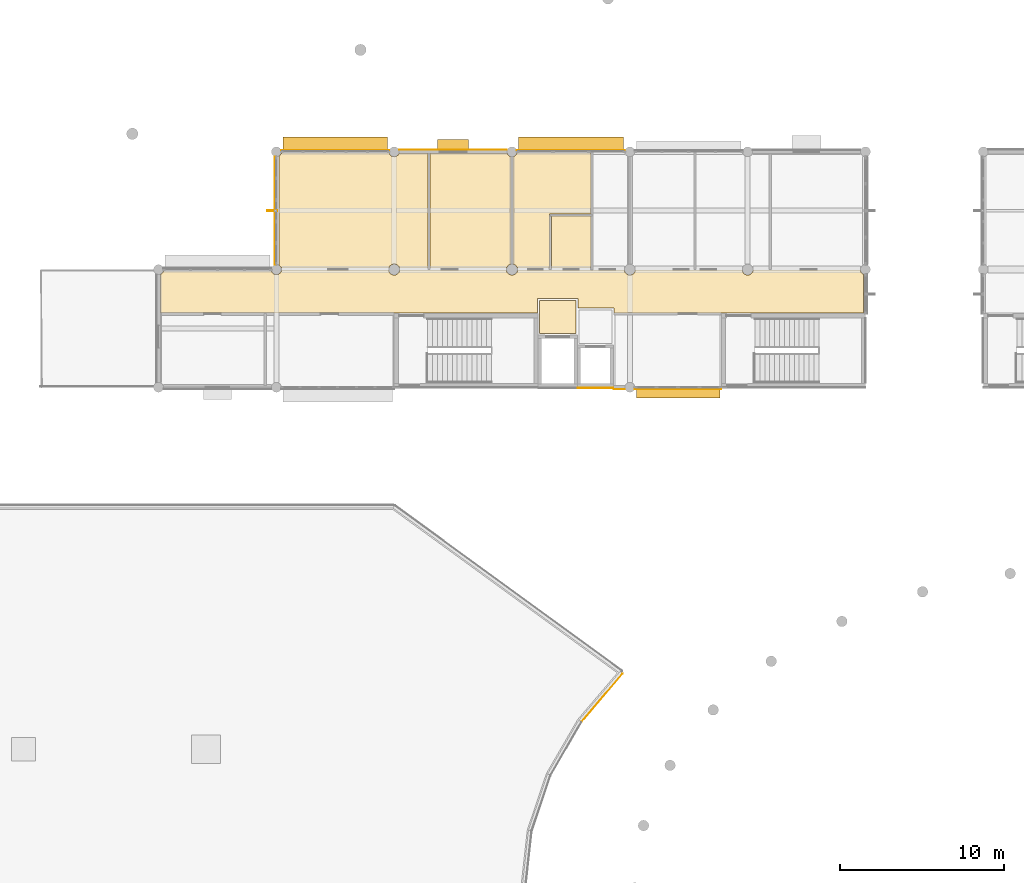
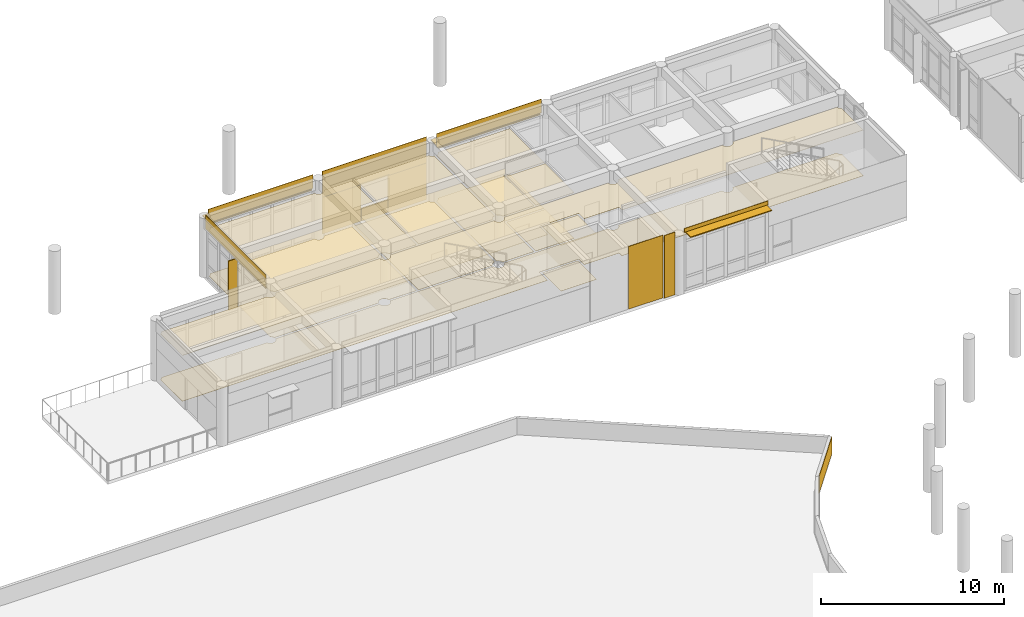
# One storey, part 48 of 55: 23 coverings, 5 shading devices.
"""IFC4 building model written with IfcOpenShell, lengths in metres."""

from ifc_helpers import new_model, si_unit, direction, frame, origin, origin_2d, place, context, subcontext, project, spatial, polyline, rectangle, outline, extrude, material, layer, layer_set, type_object, element, save


model = new_model("IFC4")

# Units and contexts
model_context = context("Model", 3, precision=1e-05, world=origin(), true_north=direction((0.0, 1.0)))
body_context = subcontext(model_context, "Body", "Model", "MODEL_VIEW")
ifc_project = project(units=[si_unit("LENGTHUNIT", "METRE"), si_unit("AREAUNIT", "SQUARE_METRE"), si_unit("VOLUMEUNIT", "CUBIC_METRE"), si_unit("PLANEANGLEUNIT", "RADIAN"), si_unit("MASSUNIT", "GRAM", prefix="KILO")], contexts=[model_context])

# Site, building, storey
site_placement = place(None, origin())
site = spatial("IfcSite", under=ifc_project, at=site_placement, CompositionType="ELEMENT")
building_placement = place(site_placement, origin())
building = spatial("IfcBuilding", under=site, at=building_placement, Name="Namkhue Oval Health Centre", CompositionType="ELEMENT")
storey_placement = place(building_placement, frame((0.0, 0.0, 9.60009765625)))
storey = spatial("IfcBuildingStorey", under=building, at=storey_placement, Name="L02", CompositionType="ELEMENT", Elevation=9.60009765625)

# Coverings
ifc_material_1 = material(Name="Acoustic mineral-fibre cleanroom ceiling", Category="gypsum")
ifc_layer_1 = layer(ifc_material_1, 0.02001953125)
ifc_layer_set_1 = layer_set([ifc_layer_1], Name="Acoustic mineral-fibre cleanroom ceiling")
covering_type_1 = type_object("IfcCoveringType", Name="ACOUSTIC CLEANROOM CEILING 20", PredefinedType="CEILING", material=ifc_layer_set_1)
covering_1_placement = place(storey_placement, frame((0.0, 0.0, 3.0498046875)))
element("IfcCovering", 1, at=covering_1_placement, inside=storey, type_object=covering_type_1, Name="Acoustic Ceiling L02-LL1 Lift Lobby LF-01", PredefinedType="CEILING", context=body_context, shape_type="SweptSolid", body=[
    extrude(outline(polyline([(66.47998046875, 93.280029296875), (66.47998046875, 95.320068359375), (68.719970703125, 95.320068359375), (68.719970703125, 93.280029296875), (66.47998046875, 93.280029296875)])), origin(), (0.0, 0.0, 1.0), 0.02001953125),
])
covering_2_placement = place(storey_placement, frame((0.0, 0.0, 3.0498046875)))
element("IfcCovering", 2, at=covering_2_placement, inside=storey, type_object=covering_type_1, Name="Acoustic Ceiling L02-V2-C1 V2 Clinical Corridor", PredefinedType="CEILING", context=body_context, shape_type="SweptSolid", body=[
    extrude(outline(polyline([(57.270263671875, 97.159912109375), (57.2763671875, 97.11328125), (57.309814453125, 97.032470703125), (57.363037109375, 96.963134765625), (57.4326171875, 96.909912109375), (57.51318359375, 96.87646484375), (57.60009765625, 96.864990234375), (57.686767578125, 96.87646484375), (57.767578125, 96.909912109375), (57.8369140625, 96.963134765625), (57.89013671875, 97.032470703125), (57.923583984375, 97.11328125), (57.9296875, 97.159912109375), (64.47021484375, 97.159912109375), (64.476318359375, 97.11328125), (64.510009765625, 97.032470703125), (64.56298828125, 96.963134765625), (64.632568359375, 96.909912109375), (64.71337890625, 96.87646484375), (64.800048828125, 96.864990234375), (64.88671875, 96.87646484375), (64.967529296875, 96.909912109375), (65.036865234375, 96.963134765625), (65.090087890625, 97.032470703125), (65.12353515625, 97.11328125), (65.129638671875, 97.159912109375), (71.67041015625, 97.159912109375), (71.676513671875, 97.11328125), (71.7099609375, 97.032470703125), (71.76318359375, 96.963134765625), (71.83251953125, 96.909912109375), (71.913330078125, 96.87646484375), (72.0, 96.864990234375), (72.086669921875, 96.87646484375), (72.16748046875, 96.909912109375), (72.23681640625, 96.963134765625), (72.2900390625, 97.032470703125), (72.323486328125, 97.11328125), (72.32958984375, 97.159912109375), (78.870361328125, 97.159912109375), (78.87646484375, 97.11328125), (78.909912109375, 97.032470703125), (78.963134765625, 96.963134765625), (79.032470703125, 96.909912109375), (79.11328125, 96.87646484375), (79.199951171875, 96.864990234375), (79.28662109375, 96.87646484375), (79.367431640625, 96.909912109375), (79.43701171875, 96.963134765625), (79.489990234375, 97.032470703125), (79.523681640625, 97.11328125), (79.52978515625, 97.159912109375), (86.09521484375, 97.159912109375), (86.1005859375, 97.119873046875), (86.131591796875, 97.044921875), (86.180908203125, 96.980712890625), (86.2451171875, 96.931396484375), (86.27490234375, 96.919189453125), (86.27490234375, 94.5400390625), (71.0400390625, 94.5400390625), (71.039794921875, 94.803955078125), (71.037109375, 94.815185546875), (71.0283203125, 94.828369140625), (71.015380859375, 94.8369140625), (71.00390625, 94.83984375), (68.840087890625, 94.840087890625), (68.83984375, 95.40380859375), (68.8369140625, 95.415283203125), (68.828369140625, 95.42822265625), (68.815185546875, 95.43701171875), (68.800048828125, 95.43994140625), (66.39990234375, 95.43994140625), (66.384765625, 95.43701171875), (66.36669921875, 95.422119140625), (66.360107421875, 95.39990234375), (66.360107421875, 94.5400390625), (43.324951171875, 94.5400390625), (43.324951171875, 96.919189453125), (43.35498046875, 96.931396484375), (43.419189453125, 96.980712890625), (43.468505859375, 97.044921875), (43.48095703125, 97.074951171875), (50.119140625, 97.074951171875), (50.131591796875, 97.044921875), (50.180908203125, 96.980712890625), (50.2451171875, 96.931396484375), (50.31982421875, 96.900634765625), (50.39990234375, 96.889892578125), (50.480224609375, 96.900634765625), (50.554931640625, 96.931396484375), (50.619140625, 96.980712890625), (50.66845703125, 97.044921875), (50.699462890625, 97.119873046875), (50.70458984375, 97.159912109375), (57.270263671875, 97.159912109375)])), origin(), (0.0, 0.0, 1.0), 0.02001953125),
])
covering_3_placement = place(storey_placement, frame((0.0, 0.0, 3.0498046875)))
element("IfcCovering", 3, at=covering_3_placement, inside=storey, type_object=covering_type_1, Name="Acoustic Ceiling L02-201 Chronic Disease Clinic", PredefinedType="CEILING", context=body_context, shape_type="SweptSolid", body=[
    extrude(outline(polyline([(57.924560546875, 97.280029296875), (57.89013671875, 97.367431640625), (57.8369140625, 97.43701171875), (57.767578125, 97.489990234375), (57.686767578125, 97.523681640625), (57.60009765625, 97.534912109375), (57.51318359375, 97.523681640625), (57.4326171875, 97.489990234375), (57.363037109375, 97.43701171875), (57.309814453125, 97.367431640625), (57.275390625, 97.280029296875), (50.699462890625, 97.280029296875), (50.66845703125, 97.35498046875), (50.619140625, 97.419189453125), (50.554931640625, 97.468505859375), (50.554931640625, 104.131591796875), (50.619140625, 104.180908203125), (50.66845703125, 104.2451171875), (50.697509765625, 104.31494140625), (57.302490234375, 104.31494140625), (57.33154296875, 104.2451171875), (57.380859375, 104.180908203125), (57.445068359375, 104.131591796875), (57.519775390625, 104.1005859375), (57.60009765625, 104.090087890625), (57.68017578125, 104.1005859375), (57.7548828125, 104.131591796875), (57.819091796875, 104.180908203125), (57.868408203125, 104.2451171875), (57.8974609375, 104.31494140625), (59.6630859375, 104.31494140625), (59.6630859375, 97.280029296875), (57.924560546875, 97.280029296875)])), origin(), (0.0, 0.0, 1.0), 0.02001953125),
])
covering_4_placement = place(storey_placement, frame((0.0, 0.0, 3.0498046875)))
element("IfcCovering", 4, at=covering_4_placement, inside=storey, type_object=covering_type_1, Name="Acoustic Ceiling L02-202 Clean Linen Store", PredefinedType="CEILING", context=body_context, shape_type="SweptSolid", body=[
    extrude(outline(polyline([(59.802978515625, 97.280029296875), (59.802978515625, 104.31494140625), (64.50244140625, 104.31494140625), (64.531494140625, 104.2451171875), (64.580810546875, 104.180908203125), (64.64501953125, 104.131591796875), (64.7197265625, 104.1005859375), (64.72998046875, 104.09912109375), (64.72998046875, 97.52587890625), (64.71337890625, 97.523681640625), (64.632568359375, 97.489990234375), (64.56298828125, 97.43701171875), (64.510009765625, 97.367431640625), (64.4755859375, 97.280029296875), (59.802978515625, 97.280029296875)])), origin(), (0.0, 0.0, 1.0), 0.02001953125),
])
covering_5_placement = place(storey_placement, frame((0.0, 0.0, 3.0498046875)))
element("IfcCovering", 5, at=covering_5_placement, inside=storey, type_object=covering_type_1, Name="Acoustic Ceiling L02-203 Soiled Sluice Utility Room", PredefinedType="CEILING", context=body_context, shape_type="SweptSolid", body=[
    extrude(outline(polyline([(69.6201171875, 104.31494140625), (69.6201171875, 100.580078125), (67.080078125, 100.580078125), (67.080078125, 97.280029296875), (65.12451171875, 97.280029296875), (65.090087890625, 97.367431640625), (65.036865234375, 97.43701171875), (64.967529296875, 97.489990234375), (64.88671875, 97.523681640625), (64.8701171875, 97.52587890625), (64.8701171875, 104.09912109375), (64.880126953125, 104.1005859375), (64.955078125, 104.131591796875), (65.019287109375, 104.180908203125), (65.068603515625, 104.2451171875), (65.097412109375, 104.31494140625), (69.6201171875, 104.31494140625)])), origin(), (0.0, 0.0, 1.0), 0.02001953125),
])
covering_6_placement = place(storey_placement, frame((0.0, 0.0, 3.0498046875)))
element("IfcCovering", 6, at=covering_6_placement, inside=storey, type_object=covering_type_1, Name="Acoustic Ceiling L02-204 Accessible WC", PredefinedType="CEILING", context=body_context, shape_type="SweptSolid", body=[
    extrude(outline(polyline([(69.6201171875, 100.4599609375), (69.6201171875, 97.280029296875), (67.199951171875, 97.280029296875), (67.199951171875, 100.4599609375), (69.6201171875, 100.4599609375)])), origin(), (0.0, 0.0, 1.0), 0.02001953125),
])
ifc_material_2 = material(Name="Homogeneous anti-bacterial clinical vinyl flooring", Category="plastic")
ifc_layer_2 = layer(ifc_material_2, 0.014892578125)
ifc_layer_set_2 = layer_set([ifc_layer_2], Name="Homogeneous anti-bacterial clinical vinyl flooring")
covering_type_2 = type_object("IfcCoveringType", Name="CLINICAL ANTIBACTERIAL VINYL FLOORING 15", PredefinedType="FLOORING", material=ifc_layer_set_2)
covering_7_placement = place(storey_placement, origin())
element("IfcCovering", 7, at=covering_7_placement, inside=storey, type_object=covering_type_2, Name="Clinical Flooring L02-LL1 Lift Lobby LF-01", PredefinedType="FLOORING", context=body_context, shape_type="SweptSolid", body=[
    extrude(outline(polyline([(66.47998046875, 93.280029296875), (66.47998046875, 95.320068359375), (68.719970703125, 95.320068359375), (68.719970703125, 93.280029296875), (66.47998046875, 93.280029296875)])), origin(), (0.0, 0.0, 1.0), 0.014892578125),
])
covering_8_placement = place(storey_placement, origin())
element("IfcCovering", 8, at=covering_8_placement, inside=storey, type_object=covering_type_2, Name="Clinical Flooring L02-V2-C1 V2 Clinical Corridor", PredefinedType="FLOORING", context=body_context, shape_type="SweptSolid", body=[
    extrude(outline(polyline([(57.270263671875, 97.159912109375), (57.2763671875, 97.11328125), (57.309814453125, 97.032470703125), (57.363037109375, 96.963134765625), (57.4326171875, 96.909912109375), (57.51318359375, 96.87646484375), (57.60009765625, 96.864990234375), (57.686767578125, 96.87646484375), (57.767578125, 96.909912109375), (57.8369140625, 96.963134765625), (57.89013671875, 97.032470703125), (57.923583984375, 97.11328125), (57.9296875, 97.159912109375), (64.47021484375, 97.159912109375), (64.476318359375, 97.11328125), (64.510009765625, 97.032470703125), (64.56298828125, 96.963134765625), (64.632568359375, 96.909912109375), (64.71337890625, 96.87646484375), (64.800048828125, 96.864990234375), (64.88671875, 96.87646484375), (64.967529296875, 96.909912109375), (65.036865234375, 96.963134765625), (65.090087890625, 97.032470703125), (65.12353515625, 97.11328125), (65.129638671875, 97.159912109375), (71.67041015625, 97.159912109375), (71.676513671875, 97.11328125), (71.7099609375, 97.032470703125), (71.76318359375, 96.963134765625), (71.83251953125, 96.909912109375), (71.913330078125, 96.87646484375), (72.0, 96.864990234375), (72.086669921875, 96.87646484375), (72.16748046875, 96.909912109375), (72.23681640625, 96.963134765625), (72.2900390625, 97.032470703125), (72.323486328125, 97.11328125), (72.32958984375, 97.159912109375), (78.870361328125, 97.159912109375), (78.87646484375, 97.11328125), (78.909912109375, 97.032470703125), (78.963134765625, 96.963134765625), (79.032470703125, 96.909912109375), (79.11328125, 96.87646484375), (79.199951171875, 96.864990234375), (79.28662109375, 96.87646484375), (79.367431640625, 96.909912109375), (79.43701171875, 96.963134765625), (79.489990234375, 97.032470703125), (79.523681640625, 97.11328125), (79.52978515625, 97.159912109375), (86.09521484375, 97.159912109375), (86.1005859375, 97.119873046875), (86.131591796875, 97.044921875), (86.180908203125, 96.980712890625), (86.2451171875, 96.931396484375), (86.27490234375, 96.919189453125), (86.27490234375, 94.5400390625), (71.0400390625, 94.5400390625), (71.039794921875, 94.803955078125), (71.037109375, 94.815185546875), (71.0283203125, 94.828369140625), (71.015380859375, 94.8369140625), (71.00390625, 94.83984375), (68.840087890625, 94.840087890625), (68.83984375, 95.40380859375), (68.8369140625, 95.415283203125), (68.828369140625, 95.42822265625), (68.815185546875, 95.43701171875), (68.800048828125, 95.43994140625), (66.39990234375, 95.43994140625), (66.384765625, 95.43701171875), (66.36669921875, 95.422119140625), (66.360107421875, 95.39990234375), (66.360107421875, 94.5400390625), (43.324951171875, 94.5400390625), (43.324951171875, 96.919189453125), (43.35498046875, 96.931396484375), (43.419189453125, 96.980712890625), (43.468505859375, 97.044921875), (43.48095703125, 97.074951171875), (50.119140625, 97.074951171875), (50.131591796875, 97.044921875), (50.180908203125, 96.980712890625), (50.2451171875, 96.931396484375), (50.31982421875, 96.900634765625), (50.39990234375, 96.889892578125), (50.480224609375, 96.900634765625), (50.554931640625, 96.931396484375), (50.619140625, 96.980712890625), (50.66845703125, 97.044921875), (50.699462890625, 97.119873046875), (50.70458984375, 97.159912109375), (57.270263671875, 97.159912109375)])), origin(), (0.0, 0.0, 1.0), 0.014892578125),
])
covering_9_placement = place(storey_placement, origin())
element("IfcCovering", 9, at=covering_9_placement, inside=storey, type_object=covering_type_2, Name="Clinical Flooring L02-201 Chronic Disease Clinic", PredefinedType="FLOORING", context=body_context, shape_type="SweptSolid", body=[
    extrude(outline(polyline([(57.924560546875, 97.280029296875), (57.89013671875, 97.367431640625), (57.8369140625, 97.43701171875), (57.767578125, 97.489990234375), (57.686767578125, 97.523681640625), (57.60009765625, 97.534912109375), (57.51318359375, 97.523681640625), (57.4326171875, 97.489990234375), (57.363037109375, 97.43701171875), (57.309814453125, 97.367431640625), (57.275390625, 97.280029296875), (50.699462890625, 97.280029296875), (50.66845703125, 97.35498046875), (50.619140625, 97.419189453125), (50.554931640625, 97.468505859375), (50.554931640625, 104.131591796875), (50.619140625, 104.180908203125), (50.66845703125, 104.2451171875), (50.697509765625, 104.31494140625), (57.302490234375, 104.31494140625), (57.33154296875, 104.2451171875), (57.380859375, 104.180908203125), (57.445068359375, 104.131591796875), (57.519775390625, 104.1005859375), (57.60009765625, 104.090087890625), (57.68017578125, 104.1005859375), (57.7548828125, 104.131591796875), (57.819091796875, 104.180908203125), (57.868408203125, 104.2451171875), (57.8974609375, 104.31494140625), (59.6630859375, 104.31494140625), (59.6630859375, 97.280029296875), (57.924560546875, 97.280029296875)])), origin(), (0.0, 0.0, 1.0), 0.014892578125),
])
covering_10_placement = place(storey_placement, origin())
element("IfcCovering", 10, at=covering_10_placement, inside=storey, type_object=covering_type_2, Name="Clinical Flooring L02-202 Clean Linen Store", PredefinedType="FLOORING", context=body_context, shape_type="SweptSolid", body=[
    extrude(outline(polyline([(59.802978515625, 97.280029296875), (59.802978515625, 104.31494140625), (64.50244140625, 104.31494140625), (64.531494140625, 104.2451171875), (64.580810546875, 104.180908203125), (64.64501953125, 104.131591796875), (64.7197265625, 104.1005859375), (64.72998046875, 104.09912109375), (64.72998046875, 97.52587890625), (64.71337890625, 97.523681640625), (64.632568359375, 97.489990234375), (64.56298828125, 97.43701171875), (64.510009765625, 97.367431640625), (64.4755859375, 97.280029296875), (59.802978515625, 97.280029296875)])), origin(), (0.0, 0.0, 1.0), 0.014892578125),
])
covering_11_placement = place(storey_placement, origin())
element("IfcCovering", 11, at=covering_11_placement, inside=storey, type_object=covering_type_2, Name="Clinical Flooring L02-203 Soiled Sluice Utility Room", PredefinedType="FLOORING", context=body_context, shape_type="SweptSolid", body=[
    extrude(outline(polyline([(69.6201171875, 104.31494140625), (69.6201171875, 100.580078125), (67.080078125, 100.580078125), (67.080078125, 97.280029296875), (65.12451171875, 97.280029296875), (65.090087890625, 97.367431640625), (65.036865234375, 97.43701171875), (64.967529296875, 97.489990234375), (64.88671875, 97.523681640625), (64.8701171875, 97.52587890625), (64.8701171875, 104.09912109375), (64.880126953125, 104.1005859375), (64.955078125, 104.131591796875), (65.019287109375, 104.180908203125), (65.068603515625, 104.2451171875), (65.097412109375, 104.31494140625), (69.6201171875, 104.31494140625)])), origin(), (0.0, 0.0, 1.0), 0.014892578125),
])
covering_12_placement = place(storey_placement, origin())
element("IfcCovering", 12, at=covering_12_placement, inside=storey, type_object=covering_type_2, Name="Clinical Flooring L02-204 Accessible WC", PredefinedType="FLOORING", context=body_context, shape_type="SweptSolid", body=[
    extrude(outline(polyline([(69.6201171875, 100.4599609375), (69.6201171875, 97.280029296875), (67.199951171875, 97.280029296875), (67.199951171875, 100.4599609375), (69.6201171875, 100.4599609375)])), origin(), (0.0, 0.0, 1.0), 0.014892578125),
])

# Shading devices
ifc_material_3 = material(Name="Anodised aluminium EN AW-6063 T6", Category="aluminium")
ifc_layer_3 = layer(ifc_material_3, 0.06005859375)
ifc_layer_set_3 = layer_set([ifc_layer_3], Name="Anodised aluminium EN AW-6063 T6")
shading_device_type_1 = type_object("IfcShadingDeviceType", Name="MONSOON SUN LOUVRE 900", PredefinedType="JALOUSIE", material=ifc_layer_set_3)
for number, where, z_axis, x_axis, name in (
    (13, (68.39990234375, 104.85009765625, 3.22998046875), (0.0, 0.0, 1.0), (-1.0, 0.0, 0.0), "Volume V2 L02 Horizontal Monsoon Sun Louvre 84"),
    (14, (54.0, 104.85009765625, 3.22998046875), (0.0, 0.0, 1.0), (-1.0, 0.0, 0.0), "Volume V2 L02 Horizontal Monsoon Sun Louvre 86"),
):
    element("IfcShadingDevice", number, at=place(storey_placement, frame(where, z_axis=z_axis, x_axis=x_axis)), inside=storey, type_object=shading_device_type_1, Name=name, PredefinedType="JALOUSIE", context=body_context, shape_type="SweptSolid", body=[
        extrude(rectangle(XDim=6.409912109375, YDim=0.89990234375, at=origin_2d()), origin(), (0.0, 0.0, 1.0), 0.06005859375),
    ])
ifc_layer_4 = layer(ifc_material_3, 0.050048828125)
ifc_layer_set_4 = layer_set([ifc_layer_4], Name="Anodised aluminium EN AW-6063 T6")
shading_device_type_2 = type_object("IfcShadingDeviceType", Name="STORM SHUTTER LOUVRE 650", PredefinedType="SHUTTER", material=ifc_layer_set_4)
shading_device_1_placement = place(storey_placement, frame((74.946533203125, 89.675048828125, 3.8798828125), z_axis=(0.0, 0.0, 1.0), x_axis=(1.0, 0.0, 0.0)))
element("IfcShadingDevice", 15, at=shading_device_1_placement, inside=storey, type_object=shading_device_type_2, Name="Volume V2 L02 Horizontal Monsoon Sun Louvre 79", PredefinedType="SHUTTER", context=body_context, shape_type="SweptSolid", body=[
    extrude(rectangle(XDim=5.10302734375, YDim=0.64990234375, at=origin_2d()), origin(), (0.0, 0.0, 1.0), 0.06005859375),
])
shading_device_2_placement = place(storey_placement, frame((61.199951171875, 104.824951171875, 2.4599609375), z_axis=(0.0, 0.0, 1.0), x_axis=(-1.0, 0.0, 0.0)))
element("IfcShadingDevice", 16, at=shading_device_2_placement, inside=storey, type_object=shading_device_type_2, Name="Volume V2 L02 Window Monsoon Louvre 85", PredefinedType="SHUTTER", context=body_context, shape_type="SweptSolid", body=[
    extrude(rectangle(XDim=1.889892578125, YDim=0.64990234375, at=origin_2d()), origin(), (0.0, 0.0, 1.0), 0.06005859375),
])
shading_device_type_3 = type_object("IfcShadingDeviceType", Name="VERTICAL SOLAR FIN 600", PredefinedType="USERDEFINED", material=ifc_material_3)
shading_device_3_placement = place(storey_placement, frame((50.139892578125, 100.800048828125, 0.0), z_axis=(0.0, 0.0, 1.0), x_axis=(-1.0, 0.0, 0.0)))
element("IfcShadingDevice", 17, at=shading_device_3_placement, inside=storey, type_object=shading_device_type_3, Name="Volume V2 L02 Extruded Aluminium Solar Fin 87", ObjectType="SOLAR FIN", PredefinedType="USERDEFINED", context=body_context, shape_type="SweptSolid", body=[
    extrude(rectangle(XDim=0.60009765625, YDim=0.06005859375, at=origin_2d()), origin(), (0.0, 0.0, 1.0), 3.300048828125),
])

# Coverings
ifc_material_4 = material(Name="White glass-fibre reinforced concrete GRC rainscreen cladding", Category="concrete")
ifc_layer_5 = layer(ifc_material_4, 0.02490234375)
ifc_layer_set_5 = layer_set([ifc_layer_5], Name="White glass-fibre reinforced concrete GRC rainscreen cladding")
covering_type_3 = type_object("IfcCoveringType", Name="WHITE GRC RAINSCREEN CLADDING 25", PredefinedType="CLADDING", material=ifc_layer_set_5)
covering_13_placement = place(storey_placement, frame((70.297607421875, 71.029541015625, 0.010009765625), z_axis=(0.0, 0.0, 1.0), x_axis=(-0.648784221735, -0.760972426325, 0.0)))
element("IfcCovering", 18, at=covering_13_placement, inside=storey, type_object=covering_type_3, Name="Volume V1 L02 Parapet 4 White GRC Cladding 1", PredefinedType="CLADDING", context=body_context, shape_type="SweptSolid", body=[
    extrude(rectangle(XDim=3.859375, YDim=0.02490234375, at=origin_2d()), origin(), (0.0, 0.0, 1.0), 1.1298828125),
])
covering_14_placement = place(storey_placement, frame((71.353515625, 89.887939453125, 0.009765625), z_axis=(0.0, 0.0, 1.0), x_axis=(1.0, 0.0, 0.0)))
element("IfcCovering", 19, at=covering_14_placement, inside=storey, type_object=covering_type_3, Name="Volume V2 L02 Facade 35 White GRC Cladding 1", PredefinedType="CLADDING", context=body_context, shape_type="SweptSolid", body=[
    extrude(rectangle(XDim=0.6630859375, YDim=0.02490234375, at=origin_2d()), origin(), (0.0, 0.0, 1.0), 4.179931640625),
])
covering_15_placement = place(storey_placement, frame((74.946533203125, 89.91162109375, 3.93505859375), z_axis=(0.0, 0.0, 1.0), x_axis=(1.0, 0.0, 0.0)))
element("IfcCovering", 20, at=covering_15_placement, inside=storey, type_object=covering_type_3, Name="Volume V2 L02 Curtain Wall Spandrel Cladding 62", PredefinedType="CLADDING", context=body_context, shape_type="SweptSolid", body=[
    extrude(rectangle(XDim=5.29296875, YDim=0.02490234375, at=origin_2d()), origin(), (0.0, 0.0, 1.0), 0.264892578125),
])
covering_16_placement = place(storey_placement, frame((68.39990234375, 104.488525390625, 3.284912109375), z_axis=(0.0, 0.0, 1.0), x_axis=(-1.0, 0.0, 0.0)))
element("IfcCovering", 21, at=covering_16_placement, inside=storey, type_object=covering_type_3, Name="Volume V2 L02 Curtain Wall Spandrel Cladding 66", PredefinedType="CLADDING", context=body_context, shape_type="SweptSolid", body=[
    extrude(rectangle(XDim=6.60009765625, YDim=0.02490234375, at=origin_2d()), origin(), (0.0, 0.0, 1.0), 0.9150390625),
])
covering_17_placement = place(storey_placement, frame((61.199951171875, 104.52197265625, 2.455078125), z_axis=(0.0, 0.0, 1.0), x_axis=(-1.0, 0.0, 0.0)))
element("IfcCovering", 22, at=covering_17_placement, inside=storey, type_object=covering_type_3, Name="Volume V2 L02 Facade 37 White GRC Cladding 1", PredefinedType="CLADDING", context=body_context, shape_type="SweptSolid", body=[
    extrude(rectangle(XDim=6.570068359375, YDim=0.02490234375, at=origin_2d()), origin(), (0.0, 0.0, 1.0), 1.735107421875),
])
covering_18_placement = place(storey_placement, frame((63.262451171875, 104.52197265625, 0.010009765625), z_axis=(0.0, 0.0, 1.0), x_axis=(-1.0, 0.0, 0.0)))
element("IfcCovering", 23, at=covering_18_placement, inside=storey, type_object=covering_type_3, Name="Volume V2 L02 Facade 37 White GRC Cladding 2", PredefinedType="CLADDING", context=body_context, shape_type="SweptSolid", body=[
    extrude(rectangle(XDim=2.445068359375, YDim=0.02490234375, at=origin_2d()), origin(), (0.0, 0.0, 1.0), 2.43994140625),
])
covering_19_placement = place(storey_placement, frame((61.199951171875, 104.52197265625, 0.010009765625), z_axis=(0.0, 0.0, 1.0), x_axis=(-1.0, 0.0, 0.0)))
element("IfcCovering", 24, at=covering_19_placement, inside=storey, type_object=covering_type_3, Name="Volume V2 L02 Facade 37 White GRC Cladding 3", PredefinedType="CLADDING", context=body_context, shape_type="SweptSolid", body=[
    extrude(rectangle(XDim=1.669921875, YDim=0.02490234375, at=origin_2d()), origin(), (0.0, 0.0, 1.0), 0.875),
])
covering_20_placement = place(storey_placement, frame((59.137451171875, 104.52197265625, 0.010009765625), z_axis=(0.0, 0.0, 1.0), x_axis=(-1.0, 0.0, 0.0)))
element("IfcCovering", 25, at=covering_20_placement, inside=storey, type_object=covering_type_3, Name="Volume V2 L02 Facade 37 White GRC Cladding 4", PredefinedType="CLADDING", context=body_context, shape_type="SweptSolid", body=[
    extrude(rectangle(XDim=2.445068359375, YDim=0.02490234375, at=origin_2d()), origin(), (0.0, 0.0, 1.0), 2.43994140625),
])
for number, where, z_axis, x_axis, name in (
    (26, (54.0, 104.488525390625, 3.284912109375), (0.0, 0.0, 1.0), (-1.0, 0.0, 0.0), "Volume V2 L02 Curtain Wall Spandrel Cladding 67"),
    (27, (50.3115234375, 100.800048828125, 3.284912109375), (0.0, 0.0, 1.0), (0.0, -1.0, 0.0), "Volume V2 L02 Curtain Wall Spandrel Cladding 68"),
):
    element("IfcCovering", number, at=place(storey_placement, frame(where, z_axis=z_axis, x_axis=x_axis)), inside=storey, type_object=covering_type_3, Name=name, PredefinedType="CLADDING", context=body_context, shape_type="SweptSolid", body=[
        extrude(rectangle(XDim=6.60009765625, YDim=0.02490234375, at=origin_2d()), origin(), (0.0, 0.0, 1.0), 0.9150390625),
    ])
covering_21_placement = place(storey_placement, frame((69.89990234375, 89.962890625, 0.009765625), z_axis=(0.0, 0.0, 1.0), x_axis=(1.0, 0.0, 0.0)))
element("IfcCovering", 28, at=covering_21_placement, inside=storey, type_object=covering_type_3, Name="Lift LF-02 L02 S White GRC Cladding 1", PredefinedType="CLADDING", context=body_context, shape_type="SweptSolid", body=[
    extrude(rectangle(XDim=2.159912109375, YDim=0.02490234375, at=origin_2d()), origin(), (0.0, 0.0, 1.0), 4.179931640625),
])

save(model, "model.ifc")
